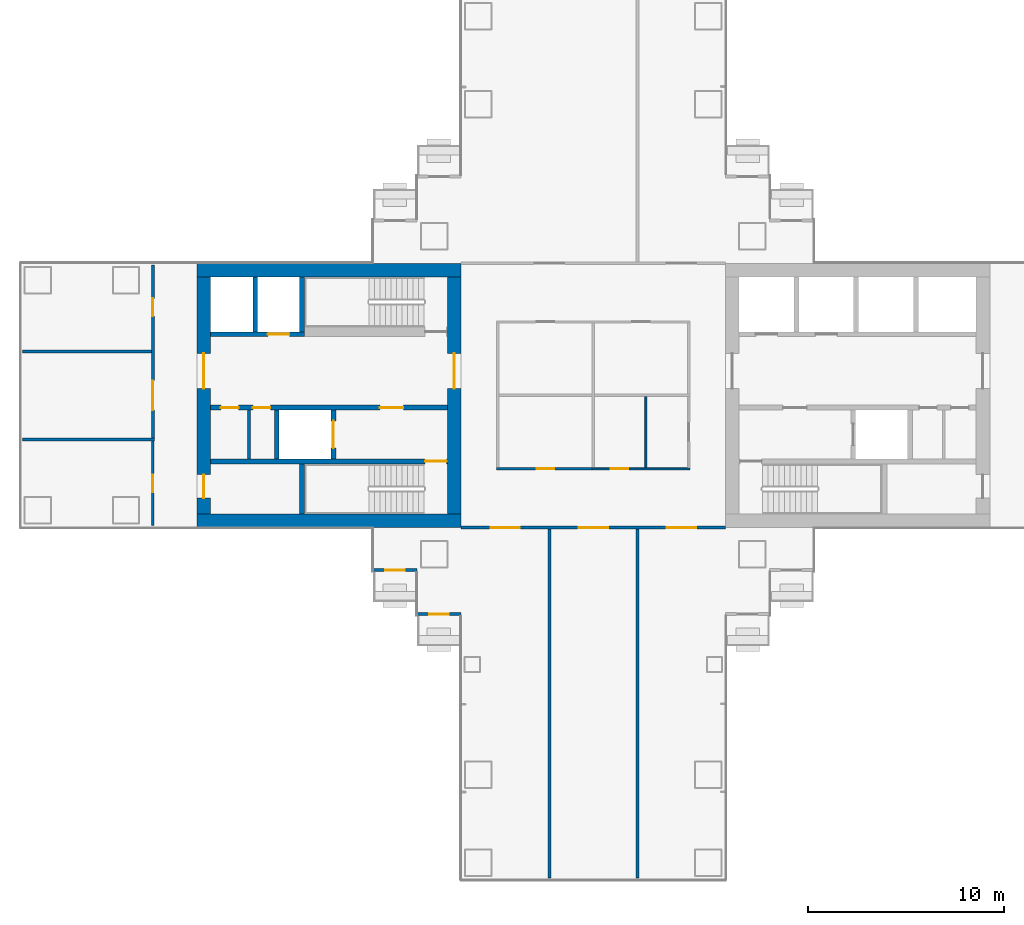
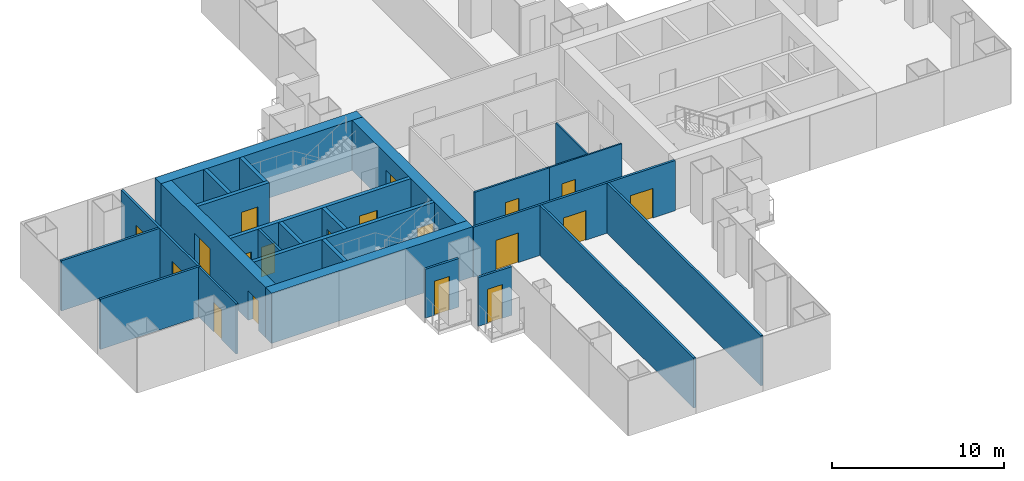
# One storey, part 13 of 21: 25 walls, 19 doors, 19 openings.
"""IFC4 building model written with IfcOpenShell, lengths in metres."""

from ifc_helpers import new_model, si_unit, direction, frame, frame_2d, origin, place, context, subcontext, project, spatial, rectangle, extrude, material, layer, layer_set, type_object, element, fill, save


model = new_model("IFC4")

# Units and contexts
model_context = context("Model", 3, precision=1e-05, world=origin(), true_north=direction((0.0, 1.0)))
body_context = subcontext(model_context, "Body", "Model", "MODEL_VIEW")
ifc_project = project(units=[si_unit("LENGTHUNIT", "METRE"), si_unit("AREAUNIT", "SQUARE_METRE"), si_unit("VOLUMEUNIT", "CUBIC_METRE"), si_unit("PLANEANGLEUNIT", "RADIAN"), si_unit("MASSUNIT", "GRAM", prefix="KILO")], contexts=[model_context])

# Site, building, storey
site_placement = place(None, origin())
site = spatial("IfcSite", under=ifc_project, at=site_placement, CompositionType="ELEMENT")
building_placement = place(site_placement, origin())
building = spatial("IfcBuilding", under=site, at=building_placement, Name="Shamsa Quay Exchange Towers", CompositionType="ELEMENT")
storey_placement = place(building_placement, frame((0.0, 0.0, 45.89990234375)))
storey = spatial("IfcBuildingStorey", under=building, at=storey_placement, Name="L09", CompositionType="ELEMENT", Elevation=45.89990234375)

# Wall, opening, door
ifc_material_1 = material(Name="Aluminium EN AW-6063 T6, black anodised, with black enamelled glass infill", Category="aluminium")
ifc_layer_1 = layer(ifc_material_1, 0.14990234375)
ifc_layer_set_1 = layer_set([ifc_layer_1], Name="BALCONY DOOR BAY WALL 150")
wall_type_1 = type_object("IfcWallType", Name="BALCONY DOOR BAY WALL 150", PredefinedType="SOLIDWALL", material=ifc_layer_set_1)
wall_1_placement = place(storey_placement, frame((-42.75, -8.925048828125, 0.0), z_axis=(0.0, 0.0, 1.0), x_axis=(-1.0, 0.0, 0.0)))
wall_1 = element("IfcWall", 1, at=wall_1_placement, inside=storey, type_object=wall_type_1, Name="Door bay T1-PKWS L09", PredefinedType="SOLIDWALL", context=body_context, shape_type="SweptSolid", body=[
    extrude(rectangle(XDim=2.25, YDim=0.14990234375, at=frame_2d((1.125, 0.0))), origin(), (0.0, 0.0, 1.0), 3.4501953125),
])
opening_1_placement = place(wall_1_placement, frame((0.625, 0.0, 0.0)))
opening_1 = element("IfcOpeningElement", 2, at=opening_1_placement, cuts=wall_1, Name="Opening XD055", PredefinedType="OPENING", context=body_context, shape_type="SweptSolid", body=[
    extrude(rectangle(XDim=1.0, YDim=2.39990234375, at=frame_2d((0.5, 1.199951171875))), frame((0.0, 0.0849609375, 0.0), z_axis=(0.0, -1.0, 0.0), x_axis=(1.0, 0.0, 0.0)), (0.0, 0.0, 1.0), 0.169921875),
])
ifc_material_2 = material(Name="Aluminium EN AW-6063 T6, black anodised, with laminated glass leaf", Category="aluminium")
door_type_1 = type_object("IfcDoorType", Name="BALCONY DOOR 1000x2400", OperationType="SINGLE_SWING_LEFT", PredefinedType="DOOR", material=ifc_material_2)
door_1_placement = place(opening_1_placement, origin())
door_1 = element("IfcDoor", 3, at=door_1_placement, inside=storey, type_object=door_type_1, Name="Balcony door T1-PKWS L09", OperationType="SINGLE_SWING_LEFT", OverallHeight=2.39990234375, OverallWidth=1.0, PredefinedType="DOOR", context=body_context, shape_type="SweptSolid", body=[
    extrude(rectangle(XDim=1.0, YDim=2.39990234375, at=frame_2d((0.5, 1.199951171875))), frame((0.0, 0.02490234375, 0.0), z_axis=(0.0, -1.0, 0.0), x_axis=(1.0, 0.0, 0.0)), (0.0, 0.0, 1.0), 0.050048828125),
])
fill(opening_1, door_1)

wall_2_placement = place(storey_placement, frame((-40.5, -11.175048828125, 0.0), z_axis=(0.0, 0.0, 1.0), x_axis=(-1.0, 0.0, 0.0)))
wall_2 = element("IfcWall", 4, at=wall_2_placement, inside=storey, type_object=wall_type_1, Name="Door bay T1-PKWS L09", PredefinedType="SOLIDWALL", context=body_context, shape_type="SweptSolid", body=[
    extrude(rectangle(XDim=2.25, YDim=0.14990234375, at=frame_2d((1.125, 0.0))), origin(), (0.0, 0.0, 1.0), 3.4501953125),
])
opening_2_placement = place(wall_2_placement, frame((0.625, 0.0, 0.0)))
opening_2 = element("IfcOpeningElement", 5, at=opening_2_placement, cuts=wall_2, Name="Opening XD056", PredefinedType="OPENING", context=body_context, shape_type="SweptSolid", body=[
    extrude(rectangle(XDim=1.0, YDim=2.39990234375, at=frame_2d((0.5, 1.199951171875))), frame((0.0, 0.0849609375, 0.0), z_axis=(0.0, -1.0, 0.0), x_axis=(1.0, 0.0, 0.0)), (0.0, 0.0, 1.0), 0.169921875),
])
door_2_placement = place(opening_2_placement, origin())
door_2 = element("IfcDoor", 6, at=door_2_placement, inside=storey, type_object=door_type_1, Name="Balcony door T1-PKWS L09", OperationType="SINGLE_SWING_RIGHT", OverallHeight=2.39990234375, OverallWidth=1.0, PredefinedType="DOOR", context=body_context, shape_type="SweptSolid", body=[
    extrude(rectangle(XDim=1.0, YDim=2.39990234375, at=frame_2d((0.5, 1.199951171875))), frame((0.0, 0.02490234375, 0.0), z_axis=(0.0, -1.0, 0.0), x_axis=(1.0, 0.0, 0.0)), (0.0, 0.0, 1.0), 0.050048828125),
])
fill(opening_2, door_2)

# Walls
ifc_material_3 = material(Name="Concrete C80/95", Category="concrete")
ifc_layer_2 = layer(ifc_material_3, 0.699951171875)
ifc_layer_set_2 = layer_set([ifc_layer_2], Name="CORE WALL 700 C80/95")
wall_type_2 = type_object("IfcWallType", Name="CORE WALL 700 C80/95", PredefinedType="SHEAR", material=ifc_layer_set_2)
for number, where, z_axis, x_axis, name in (
    (7, (-40.5, -6.39990234375, 0.0), (0.0, 0.0, 1.0), (-1.0, 0.0, 0.0), "Core wall T1B-R03-PS"),
    (8, (-40.5, 6.39990234375, 0.0), (0.0, 0.0, 1.0), (-1.0, 0.0, 0.0), "Core wall T1B-R03-PN"),
):
    element("IfcWall", number, at=place(storey_placement, frame(where, z_axis=z_axis, x_axis=x_axis)), inside=storey, type_object=wall_type_2, Name=name, PredefinedType="SHEAR", context=body_context, shape_type="SweptSolid", body=[
        extrude(rectangle(XDim=13.5, YDim=0.699951171875, at=frame_2d((6.75, 0.0))), origin(), (0.0, 0.0, 1.0), 3.550048828125),
    ])

# Wall, opening, door
wall_3_placement = place(storey_placement, frame((-40.85009765625, -6.050048828125, 0.0), z_axis=(0.0, 0.0, 1.0), x_axis=(0.0, 1.0, 0.0)))
wall_3 = element("IfcWall", 9, at=wall_3_placement, inside=storey, type_object=wall_type_2, Name="Core wall T1B-R03-PF", PredefinedType="SHEAR", context=body_context, shape_type="SweptSolid", body=[
    extrude(rectangle(XDim=12.10009765625, YDim=0.699951171875, at=frame_2d((6.050048828125, 0.0))), origin(), (0.0, 0.0, 1.0), 3.550048828125),
])
opening_3_placement = place(wall_3_placement, frame((6.39990234375, 0.0, 0.0)))
opening_3 = element("IfcOpeningElement", 10, at=opening_3_placement, cuts=wall_3, Name="Opening T1B-R03-LBD01", PredefinedType="OPENING", context=body_context, shape_type="SweptSolid", body=[
    extrude(rectangle(XDim=1.800048828125, YDim=2.39990234375, at=frame_2d((0.89990234375, 1.199951171875))), frame((0.0, 0.35986328125, 0.0), z_axis=(0.0, -1.0, 0.0), x_axis=(1.0, 0.0, 0.0)), (0.0, 0.0, 1.0), 0.719970703125),
])
ifc_material_4 = material(Name="Steel, fire rated", Category="steel")
door_type_2 = type_object("IfcDoorType", Name="LIFT LOBBY DOOR PAIR 1800", OperationType="DOUBLE_DOOR_SINGLE_SWING", PredefinedType="DOOR", material=ifc_material_4)
door_3_placement = place(opening_3_placement, origin())
door_3 = element("IfcDoor", 11, at=door_3_placement, inside=storey, type_object=door_type_2, Name="T1B-R03-LBD01", OperationType="DOUBLE_DOOR_SINGLE_SWING", OverallHeight=2.39990234375, OverallWidth=1.800048828125, PredefinedType="DOOR", context=body_context, shape_type="SweptSolid", body=[
    extrude(rectangle(XDim=1.800048828125, YDim=2.39990234375, at=frame_2d((0.89990234375, 1.199951171875))), frame((0.0, 0.02490234375, 0.0), z_axis=(0.0, -1.0, 0.0), x_axis=(1.0, 0.0, 0.0)), (0.0, 0.0, 1.0), 0.050048828125),
])
fill(opening_3, door_3)

# Wall, openings, doors
wall_4_placement = place(storey_placement, frame((-53.64990234375, -6.050048828125, 0.0), z_axis=(0.0, 0.0, 1.0), x_axis=(0.0, 1.0, 0.0)))
wall_4 = element("IfcWall", 12, at=wall_4_placement, inside=storey, type_object=wall_type_2, Name="Core wall T1B-R03-PB", PredefinedType="SHEAR", context=body_context, shape_type="SweptSolid", body=[
    extrude(rectangle(XDim=12.10009765625, YDim=0.699951171875, at=frame_2d((6.050048828125, 0.0))), origin(), (0.0, 0.0, 1.0), 3.550048828125),
])
opening_4_placement = place(wall_4_placement, frame((0.800048828125, 0.0, 0.0)))
opening_4 = element("IfcOpeningElement", 13, at=opening_4_placement, cuts=wall_4, Name="Opening T1B-R03-RD02", PredefinedType="OPENING", context=body_context, shape_type="SweptSolid", body=[
    extrude(rectangle(XDim=1.199951171875, YDim=2.10009765625, at=frame_2d((0.60009765625, 1.050048828125))), frame((0.0, 0.35986328125, 0.0), z_axis=(0.0, -1.0, 0.0), x_axis=(1.0, 0.0, 0.0)), (0.0, 0.0, 1.0), 0.719970703125),
])
opening_5_placement = place(wall_4_placement, frame((6.39990234375, 0.0, 0.0)))
opening_5 = element("IfcOpeningElement", 14, at=opening_5_placement, cuts=wall_4, Name="Opening T1B-R03-LBD03", PredefinedType="OPENING", context=body_context, shape_type="SweptSolid", body=[
    extrude(rectangle(XDim=1.800048828125, YDim=2.39990234375, at=frame_2d((0.89990234375, 1.199951171875))), frame((0.0, 0.35986328125, 0.0), z_axis=(0.0, -1.0, 0.0), x_axis=(1.0, 0.0, 0.0)), (0.0, 0.0, 1.0), 0.719970703125),
])
door_4_placement = place(opening_5_placement, origin())
door_4 = element("IfcDoor", 15, at=door_4_placement, inside=storey, type_object=door_type_2, Name="T1B-R03-LBD03", OperationType="DOUBLE_DOOR_SINGLE_SWING", OverallHeight=2.39990234375, OverallWidth=1.800048828125, PredefinedType="DOOR", context=body_context, shape_type="SweptSolid", body=[
    extrude(rectangle(XDim=1.800048828125, YDim=2.39990234375, at=frame_2d((0.89990234375, 1.199951171875))), frame((0.0, 0.02490234375, 0.0), z_axis=(0.0, -1.0, 0.0), x_axis=(1.0, 0.0, 0.0)), (0.0, 0.0, 1.0), 0.050048828125),
])
fill(opening_5, door_4)
door_type_3 = type_object("IfcDoorType", Name="RISER ACCESS DOOR 1200", OperationType="SINGLE_SWING_LEFT", PredefinedType="DOOR", material=ifc_material_4)
door_5_placement = place(opening_4_placement, origin())
door_5 = element("IfcDoor", 16, at=door_5_placement, inside=storey, type_object=door_type_3, Name="T1B-R03-RD02", OperationType="SINGLE_SWING_LEFT", OverallHeight=2.10009765625, OverallWidth=1.199951171875, PredefinedType="DOOR", context=body_context, shape_type="SweptSolid", body=[
    extrude(rectangle(XDim=1.199951171875, YDim=2.10009765625, at=frame_2d((0.60009765625, 1.050048828125))), frame((0.0, 0.02490234375, 0.0), z_axis=(0.0, -1.0, 0.0), x_axis=(1.0, 0.0, 0.0)), (0.0, 0.0, 1.0), 0.050048828125),
])
fill(opening_4, door_5)

# Wall
ifc_material_5 = material(Name="Gypsum board on steel studs, EI 60", Category="steel")
ifc_layer_3 = layer(ifc_material_5, 0.14990234375)
ifc_layer_set_3 = layer_set([ifc_layer_3], Name="FIRE PARTITION 150")
wall_type_3 = type_object("IfcWallType", Name="FIRE PARTITION 150", PredefinedType="PARTITIONING", material=ifc_layer_set_3)
wall_5_placement = place(storey_placement, frame((-51.35009765625, -3.25, 0.0), z_axis=(0.0, 0.0, 1.0), x_axis=(0.0, 1.0, 0.0)))
element("IfcWall", 17, at=wall_5_placement, inside=storey, type_object=wall_type_3, Name="Partition T1B-R03-EC0", PredefinedType="PARTITIONING", context=body_context, shape_type="SweptSolid", body=[
    extrude(rectangle(XDim=2.5, YDim=0.14990234375, at=frame_2d((1.25, 0.0))), origin(), (0.0, 0.0, 1.0), 3.550048828125),
])

# Wall, opening, door
ifc_material_6 = material(Name="Laminated fire-resisting glass in a metal frame", Category="glass")
ifc_layer_4 = layer(ifc_material_6, 0.125)
ifc_layer_set_4 = layer_set([ifc_layer_4], Name="Glazed partition 125 mm EI 60")
wall_type_4 = type_object("IfcWallType", Name="Glazed partition 125 mm EI 60", PredefinedType="PARTITIONING", material=ifc_layer_set_4)
wall_6_placement = place(storey_placement, frame((-38.6875, -3.75, 0.0)))
wall_6 = element("IfcWall", 18, at=wall_6_placement, inside=storey, type_object=wall_type_4, Name="Partition T1-R03-W06", PredefinedType="PARTITIONING", context=body_context, shape_type="SweptSolid", body=[
    extrude(rectangle(XDim=5.0, YDim=0.125, at=frame_2d((2.5, 0.0))), origin(), (0.0, 0.0, 1.0), 3.550048828125),
])
opening_6_placement = place(wall_6_placement, frame((2.050048828125, 0.0, 0.0)))
opening_6 = element("IfcOpeningElement", 19, at=opening_6_placement, cuts=wall_6, Name="Opening T1-R03-D06", PredefinedType="OPENING", context=body_context, shape_type="SweptSolid", body=[
    extrude(rectangle(XDim=0.89990234375, YDim=2.10009765625, at=frame_2d((0.449951171875, 1.050048828125))), frame((0.0, 0.072509765625, 0.0), z_axis=(0.0, -1.0, 0.0), x_axis=(1.0, 0.0, 0.0)), (0.0, 0.0, 1.0), 0.14501953125),
])
ifc_material_7 = material(Name="Timber door leaf in a metal frame", Category="wood")
door_type_4 = type_object("IfcDoorType", Name="Door 900x2100 FD30S", OperationType="NOTDEFINED", PredefinedType="DOOR", material=ifc_material_7)
door_6_placement = place(opening_6_placement, origin())
door_6 = element("IfcDoor", 20, at=door_6_placement, inside=storey, type_object=door_type_4, Name="Door T1-R03-D06", OperationType="SINGLE_SWING_LEFT", OverallHeight=2.10009765625, OverallWidth=0.89990234375, PredefinedType="DOOR", context=body_context, shape_type="SweptSolid", body=[
    extrude(rectangle(XDim=0.89990234375, YDim=2.10009765625, at=frame_2d((0.449951171875, 1.050048828125))), frame((0.0, 0.02490234375, 0.0), z_axis=(0.0, -1.0, 0.0), x_axis=(1.0, 0.0, 0.0)), (0.0, 0.0, 1.0), 0.050048828125),
])
fill(opening_6, door_6)

wall_7_placement = place(storey_placement, frame((-56.25, -6.655029296875, 0.0), z_axis=(0.0, 0.0, 1.0), x_axis=(0.0, 1.0, 0.0)))
wall_7 = element("IfcWall", 21, at=wall_7_placement, inside=storey, type_object=wall_type_4, Name="Partition T1-R03-W09", PredefinedType="PARTITIONING", context=body_context, shape_type="SweptSolid", body=[
    extrude(rectangle(XDim=4.330078125, YDim=0.125, at=frame_2d((2.1650390625, 0.0))), origin(), (0.0, 0.0, 1.0), 3.550048828125),
])
opening_7_placement = place(wall_7_placement, frame((1.705078125, 0.0, 0.0)))
opening_7 = element("IfcOpeningElement", 22, at=opening_7_placement, cuts=wall_7, Name="Opening T1-R03-D01", PredefinedType="OPENING", context=body_context, shape_type="SweptSolid", body=[
    extrude(rectangle(XDim=0.89990234375, YDim=2.10009765625, at=frame_2d((0.449951171875, 1.050048828125))), frame((0.0, 0.072509765625, 0.0), z_axis=(0.0, -1.0, 0.0), x_axis=(1.0, 0.0, 0.0)), (0.0, 0.0, 1.0), 0.14501953125),
])
door_7_placement = place(opening_7_placement, origin())
door_7 = element("IfcDoor", 23, at=door_7_placement, inside=storey, type_object=door_type_4, Name="Door T1-R03-D01", OperationType="SINGLE_SWING_LEFT", OverallHeight=2.10009765625, OverallWidth=0.89990234375, PredefinedType="DOOR", context=body_context, shape_type="SweptSolid", body=[
    extrude(rectangle(XDim=0.89990234375, YDim=2.10009765625, at=frame_2d((0.449951171875, 1.050048828125))), frame((0.0, 0.02490234375, 0.0), z_axis=(0.0, -1.0, 0.0), x_axis=(1.0, 0.0, 0.0)), (0.0, 0.0, 1.0), 0.050048828125),
])
fill(opening_7, door_7)

ifc_material_8 = material(Name="Gypsum board partition on metal studs")
ifc_layer_5 = layer(ifc_material_8, 0.10009765625)
ifc_layer_set_5 = layer_set([ifc_layer_5], Name="Partition 100 mm NOT RATED")
wall_type_5 = type_object("IfcWallType", Name="Partition 100 mm NOT RATED", PredefinedType="PARTITIONING", material=ifc_layer_set_5)
wall_8_placement = place(storey_placement, frame((-33.8125, -3.75, 0.0)))
wall_8 = element("IfcWall", 24, at=wall_8_placement, inside=storey, type_object=wall_type_5, Name="Partition T1-R03-W03", PredefinedType="PARTITIONING", context=body_context, shape_type="SweptSolid", body=[
    extrude(rectangle(XDim=4.987548828125, YDim=0.10009765625, at=frame_2d((2.49365234375, 0.0))), origin(), (0.0, 0.0, 1.0), 3.550048828125),
])
opening_8_placement = place(wall_8_placement, frame((0.956298828125, 0.0, 0.0)))
opening_8 = element("IfcOpeningElement", 25, at=opening_8_placement, cuts=wall_8, Name="Opening T1-R03-D07", PredefinedType="OPENING", context=body_context, shape_type="SweptSolid", body=[
    extrude(rectangle(XDim=0.89990234375, YDim=2.10009765625, at=frame_2d((0.449951171875, 1.050048828125))), frame((0.0, 0.06005859375, 0.0), z_axis=(0.0, -1.0, 0.0), x_axis=(1.0, 0.0, 0.0)), (0.0, 0.0, 1.0), 0.1201171875),
])
door_type_5 = type_object("IfcDoorType", Name="Door 900x2100 NOT RATED", OperationType="NOTDEFINED", PredefinedType="DOOR", material=ifc_material_7)
door_8_placement = place(opening_8_placement, origin())
door_8 = element("IfcDoor", 26, at=door_8_placement, inside=storey, type_object=door_type_5, Name="Door T1-R03-D07", OperationType="SINGLE_SWING_LEFT", OverallHeight=2.10009765625, OverallWidth=0.89990234375, PredefinedType="DOOR", context=body_context, shape_type="SweptSolid", body=[
    extrude(rectangle(XDim=0.89990234375, YDim=2.10009765625, at=frame_2d((0.449951171875, 1.050048828125))), frame((0.0, 0.02490234375, 0.0), z_axis=(0.0, -1.0, 0.0), x_axis=(1.0, 0.0, 0.0)), (0.0, 0.0, 1.0), 0.050048828125),
])
fill(opening_8, door_8)

# Wall
wall_9_placement = place(storey_placement, frame((-31.0625, -3.699951171875, 0.0), z_axis=(0.0, 0.0, 1.0), x_axis=(0.0, 1.0, 0.0)))
element("IfcWall", 27, at=wall_9_placement, inside=storey, type_object=wall_type_5, Name="Partition T1-R03-W13", PredefinedType="PARTITIONING", context=body_context, shape_type="SweptSolid", body=[
    extrude(rectangle(XDim=3.637451171875, YDim=0.10009765625, at=frame_2d((1.81884765625, 0.0))), origin(), (0.0, 0.0, 1.0), 3.550048828125),
])

# Wall, openings, doors
ifc_layer_6 = layer(ifc_material_8, 0.14990234375)
ifc_layer_set_6 = layer_set([ifc_layer_6], Name="Partition 150 mm EI 60")
wall_type_6 = type_object("IfcWallType", Name="Partition 150 mm EI 60", PredefinedType="PARTITIONING", material=ifc_layer_set_6)
wall_10_placement = place(storey_placement, frame((-27.0, -6.75, 0.0), z_axis=(0.0, 0.0, 1.0), x_axis=(-1.0, 0.0, 0.0)))
wall_10 = element("IfcWall", 28, at=wall_10_placement, inside=storey, type_object=wall_type_6, Name="Partition T1-R03-W08", PredefinedType="PARTITIONING", context=body_context, shape_type="SweptSolid", body=[
    extrude(rectangle(XDim=13.5, YDim=0.14990234375, at=frame_2d((6.75, 0.0))), origin(), (0.0, 0.0, 1.0), 3.550048828125),
])
opening_9_placement = place(wall_10_placement, frame((1.5, 0.0, 0.0)))
opening_9 = element("IfcOpeningElement", 29, at=opening_9_placement, cuts=wall_10, Name="Opening T1-R03-D11", PredefinedType="OPENING", context=body_context, shape_type="SweptSolid", body=[
    extrude(rectangle(XDim=1.5, YDim=2.10009765625, at=frame_2d((0.75, 1.050048828125))), frame((0.0, 0.0849609375, 0.0), z_axis=(0.0, -1.0, 0.0), x_axis=(1.0, 0.0, 0.0)), (0.0, 0.0, 1.0), 0.169921875),
])
opening_10_placement = place(wall_10_placement, frame((6.0, 0.0, 0.0)))
opening_10 = element("IfcOpeningElement", 30, at=opening_10_placement, cuts=wall_10, Name="Opening T1-R03-D12", PredefinedType="OPENING", context=body_context, shape_type="SweptSolid", body=[
    extrude(rectangle(XDim=1.5, YDim=2.10009765625, at=frame_2d((0.75, 1.050048828125))), frame((0.0, 0.0849609375, 0.0), z_axis=(0.0, -1.0, 0.0), x_axis=(1.0, 0.0, 0.0)), (0.0, 0.0, 1.0), 0.169921875),
])
opening_11_placement = place(wall_10_placement, frame((10.5, 0.0, 0.0)))
opening_11 = element("IfcOpeningElement", 31, at=opening_11_placement, cuts=wall_10, Name="Opening T1-R03-D13", PredefinedType="OPENING", context=body_context, shape_type="SweptSolid", body=[
    extrude(rectangle(XDim=1.5, YDim=2.10009765625, at=frame_2d((0.75, 1.050048828125))), frame((0.0, 0.0849609375, 0.0), z_axis=(0.0, -1.0, 0.0), x_axis=(1.0, 0.0, 0.0)), (0.0, 0.0, 1.0), 0.169921875),
])
door_type_6 = type_object("IfcDoorType", Name="Door 1500x2100 FD30S pair", OperationType="NOTDEFINED", PredefinedType="DOOR", material=ifc_material_7)
door_9_placement = place(opening_9_placement, origin())
door_9 = element("IfcDoor", 32, at=door_9_placement, inside=storey, type_object=door_type_6, Name="Door T1-R03-D11", OperationType="DOUBLE_DOOR_SINGLE_SWING", OverallHeight=2.10009765625, OverallWidth=1.5, PredefinedType="DOOR", context=body_context, shape_type="SweptSolid", body=[
    extrude(rectangle(XDim=1.5, YDim=2.10009765625, at=frame_2d((0.75, 1.050048828125))), frame((0.0, 0.02490234375, 0.0), z_axis=(0.0, -1.0, 0.0), x_axis=(1.0, 0.0, 0.0)), (0.0, 0.0, 1.0), 0.050048828125),
])
fill(opening_9, door_9)
door_10_placement = place(opening_10_placement, origin())
door_10 = element("IfcDoor", 33, at=door_10_placement, inside=storey, type_object=door_type_6, Name="Door T1-R03-D12", OperationType="DOUBLE_DOOR_SINGLE_SWING", OverallHeight=2.10009765625, OverallWidth=1.5, PredefinedType="DOOR", context=body_context, shape_type="SweptSolid", body=[
    extrude(rectangle(XDim=1.5, YDim=2.10009765625, at=frame_2d((0.75, 1.050048828125))), frame((0.0, 0.02490234375, 0.0), z_axis=(0.0, -1.0, 0.0), x_axis=(1.0, 0.0, 0.0)), (0.0, 0.0, 1.0), 0.050048828125),
])
fill(opening_10, door_10)
door_11_placement = place(opening_11_placement, origin())
door_11 = element("IfcDoor", 34, at=door_11_placement, inside=storey, type_object=door_type_6, Name="Door T1-R03-D13", OperationType="DOUBLE_DOOR_SINGLE_SWING", OverallHeight=2.10009765625, OverallWidth=1.5, PredefinedType="DOOR", context=body_context, shape_type="SweptSolid", body=[
    extrude(rectangle(XDim=1.5, YDim=2.10009765625, at=frame_2d((0.75, 1.050048828125))), frame((0.0, 0.02490234375, 0.0), z_axis=(0.0, -1.0, 0.0), x_axis=(1.0, 0.0, 0.0)), (0.0, 0.0, 1.0), 0.050048828125),
])
fill(opening_11, door_11)

wall_11_placement = place(storey_placement, frame((-56.25, -2.175048828125, 0.0), z_axis=(0.0, 0.0, 1.0), x_axis=(0.0, 1.0, 0.0)))
wall_11 = element("IfcWall", 35, at=wall_11_placement, inside=storey, type_object=wall_type_6, Name="Partition T1-R03-W10", PredefinedType="PARTITIONING", context=body_context, shape_type="SweptSolid", body=[
    extrude(rectangle(XDim=8.830078125, YDim=0.14990234375, at=frame_2d((4.4150390625, 0.0))), origin(), (0.0, 0.0, 1.0), 3.550048828125),
])
opening_12_placement = place(wall_11_placement, frame((1.425048828125, 0.0, 0.0)))
opening_12 = element("IfcOpeningElement", 36, at=opening_12_placement, cuts=wall_11, Name="Opening T1-R03-D02", PredefinedType="OPENING", context=body_context, shape_type="SweptSolid", body=[
    extrude(rectangle(XDim=1.5, YDim=2.10009765625, at=frame_2d((0.75, 1.050048828125))), frame((0.0, 0.0849609375, 0.0), z_axis=(0.0, -1.0, 0.0), x_axis=(1.0, 0.0, 0.0)), (0.0, 0.0, 1.0), 0.169921875),
])
opening_13_placement = place(wall_11_placement, frame((6.22509765625, 0.0, 0.0)))
opening_13 = element("IfcOpeningElement", 37, at=opening_13_placement, cuts=wall_11, Name="Opening T1-R03-D03", PredefinedType="OPENING", context=body_context, shape_type="SweptSolid", body=[
    extrude(rectangle(XDim=0.89990234375, YDim=2.10009765625, at=frame_2d((0.449951171875, 1.050048828125))), frame((0.0, 0.0849609375, 0.0), z_axis=(0.0, -1.0, 0.0), x_axis=(1.0, 0.0, 0.0)), (0.0, 0.0, 1.0), 0.169921875),
])
door_12_placement = place(opening_12_placement, origin())
door_12 = element("IfcDoor", 38, at=door_12_placement, inside=storey, type_object=door_type_6, Name="Door T1-R03-D02", OperationType="DOUBLE_DOOR_SINGLE_SWING", OverallHeight=2.10009765625, OverallWidth=1.5, PredefinedType="DOOR", context=body_context, shape_type="SweptSolid", body=[
    extrude(rectangle(XDim=1.5, YDim=2.10009765625, at=frame_2d((0.75, 1.050048828125))), frame((0.0, 0.02490234375, 0.0), z_axis=(0.0, -1.0, 0.0), x_axis=(1.0, 0.0, 0.0)), (0.0, 0.0, 1.0), 0.050048828125),
])
fill(opening_12, door_12)
door_13_placement = place(opening_13_placement, origin())
door_13 = element("IfcDoor", 39, at=door_13_placement, inside=storey, type_object=door_type_4, Name="Door T1-R03-D03", OperationType="SINGLE_SWING_LEFT", OverallHeight=2.10009765625, OverallWidth=0.89990234375, PredefinedType="DOOR", context=body_context, shape_type="SweptSolid", body=[
    extrude(rectangle(XDim=0.89990234375, YDim=2.10009765625, at=frame_2d((0.449951171875, 1.050048828125))), frame((0.0, 0.02490234375, 0.0), z_axis=(0.0, -1.0, 0.0), x_axis=(1.0, 0.0, 0.0)), (0.0, 0.0, 1.0), 0.050048828125),
])
fill(opening_13, door_13)

# Walls
for number, where, z_axis, x_axis, name in (
    (40, (-31.5, -24.655029296875, 0.0), (0.0, 0.0, 1.0), (0.0, 1.0, 0.0), "Partition T1-R03-W14"),
    (41, (-36.0, -24.655029296875, 0.0), (0.0, 0.0, 1.0), (0.0, 1.0, 0.0), "Partition T1-R03-W16"),
):
    element("IfcWall", number, at=place(storey_placement, frame(where, z_axis=z_axis, x_axis=x_axis)), inside=storey, type_object=wall_type_6, Name=name, PredefinedType="PARTITIONING", context=body_context, shape_type="SweptSolid", body=[
        extrude(rectangle(XDim=17.830078125, YDim=0.14990234375, at=frame_2d((8.9150390625, 0.0))), origin(), (0.0, 0.0, 1.0), 3.550048828125),
    ])
wall_12_placement = place(storey_placement, frame((-56.175048828125, -2.25, 0.0), z_axis=(0.0, 0.0, 1.0), x_axis=(-1.0, 0.0, 0.0)))
element("IfcWall", 42, at=wall_12_placement, inside=storey, type_object=wall_type_6, Name="Partition T1-R03-W17", PredefinedType="PARTITIONING", context=body_context, shape_type="SweptSolid", body=[
    extrude(rectangle(XDim=6.72998046875, YDim=0.14990234375, at=frame_2d((3.364990234375, 0.0))), origin(), (0.0, 0.0, 1.0), 3.550048828125),
])
wall_13_placement = place(storey_placement, frame((-56.324951171875, 2.25, 0.0), z_axis=(0.0, 0.0, 1.0), x_axis=(-1.0, 0.0, 0.0)))
element("IfcWall", 43, at=wall_13_placement, inside=storey, type_object=wall_type_6, Name="Partition T1-R03-W18", PredefinedType="PARTITIONING", context=body_context, shape_type="SweptSolid", body=[
    extrude(rectangle(XDim=6.580078125, YDim=0.14990234375, at=frame_2d((3.2900390625, 0.0))), origin(), (0.0, 0.0, 1.0), 3.550048828125),
])

# Wall, opening, door
ifc_material_9 = material(Name="Concrete C50/60", Category="concrete")
ifc_layer_7 = layer(ifc_material_9, 0.25)
ifc_layer_set_7 = layer_set([ifc_layer_7], Name="SHAFT WALL 250 C50/60")
wall_type_7 = type_object("IfcWallType", Name="SHAFT WALL 250 C50/60", PredefinedType="SHEAR", material=ifc_layer_set_7)
wall_14_placement = place(storey_placement, frame((-41.199951171875, -3.375, 0.0), z_axis=(0.0, 0.0, 1.0), x_axis=(-1.0, 0.0, 0.0)))
wall_14 = element("IfcWall", 44, at=wall_14_placement, inside=storey, type_object=wall_type_7, Name="Shaft wall T1B-R03-STL", PredefinedType="SHEAR", context=body_context, shape_type="SweptSolid", body=[
    extrude(rectangle(XDim=12.10009765625, YDim=0.25, at=frame_2d((6.050048828125, 0.0))), origin(), (0.0, 0.0, 1.0), 3.550048828125),
])
opening_14_placement = place(wall_14_placement, frame((0.050048828125, 0.0, 0.0)))
opening_14 = element("IfcOpeningElement", 45, at=opening_14_placement, cuts=wall_14, Name="Opening T1B-R03-SD04", PredefinedType="OPENING", context=body_context, shape_type="SweptSolid", body=[
    extrude(rectangle(XDim=1.10009765625, YDim=2.10009765625, at=frame_2d((0.550048828125, 1.050048828125))), frame((0.0, 0.135009765625, 0.0), z_axis=(0.0, -1.0, 0.0), x_axis=(1.0, 0.0, 0.0)), (0.0, 0.0, 1.0), 0.27001953125),
])
door_type_7 = type_object("IfcDoorType", Name="STAIR DOOR 1100", OperationType="SINGLE_SWING_LEFT", PredefinedType="DOOR", material=ifc_material_4)
door_14_placement = place(opening_14_placement, origin())
door_14 = element("IfcDoor", 46, at=door_14_placement, inside=storey, type_object=door_type_7, Name="T1B-R03-SD04", OperationType="SINGLE_SWING_LEFT", OverallHeight=2.10009765625, OverallWidth=1.10009765625, PredefinedType="DOOR", context=body_context, shape_type="SweptSolid", body=[
    extrude(rectangle(XDim=1.10009765625, YDim=2.10009765625, at=frame_2d((0.550048828125, 1.050048828125))), frame((0.0, 0.02490234375, 0.0), z_axis=(0.0, -1.0, 0.0), x_axis=(1.0, 0.0, 0.0)), (0.0, 0.0, 1.0), 0.050048828125),
])
fill(opening_14, door_14)

# Wall
wall_15_placement = place(storey_placement, frame((-48.625, -6.050048828125, 0.0), z_axis=(0.0, 0.0, 1.0), x_axis=(0.0, 1.0, 0.0)))
element("IfcWall", 47, at=wall_15_placement, inside=storey, type_object=wall_type_7, Name="Shaft wall T1B-R03-STF", PredefinedType="SHEAR", context=body_context, shape_type="SweptSolid", body=[
    extrude(rectangle(XDim=2.550048828125, YDim=0.25, at=frame_2d((1.27490234375, 0.0))), origin(), (0.0, 0.0, 1.0), 3.550048828125),
])

# Wall, openings, doors
wall_16_placement = place(storey_placement, frame((-41.199951171875, -0.625, 0.0), z_axis=(0.0, 0.0, 1.0), x_axis=(-1.0, 0.0, 0.0)))
wall_16 = element("IfcWall", 48, at=wall_16_placement, inside=storey, type_object=wall_type_7, Name="Shaft wall T1B-R03-B", PredefinedType="SHEAR", context=body_context, shape_type="SweptSolid", body=[
    extrude(rectangle(XDim=12.10009765625, YDim=0.25, at=frame_2d((6.050048828125, 0.0))), origin(), (0.0, 0.0, 1.0), 3.550048828125),
])
opening_15_placement = place(wall_16_placement, frame((2.25, 0.0, 0.0)))
opening_15 = element("IfcOpeningElement", 49, at=opening_15_placement, cuts=wall_16, Name="Opening T1B-R03-FD05", PredefinedType="OPENING", context=body_context, shape_type="SweptSolid", body=[
    extrude(rectangle(XDim=1.199951171875, YDim=2.10009765625, at=frame_2d((0.60009765625, 1.050048828125))), frame((0.0, 0.135009765625, 0.0), z_axis=(0.0, -1.0, 0.0), x_axis=(1.0, 0.0, 0.0)), (0.0, 0.0, 1.0), 0.27001953125),
])
opening_16_placement = place(wall_16_placement, frame((9.050048828125, 0.0, 0.0)))
opening_16 = element("IfcOpeningElement", 50, at=opening_16_placement, cuts=wall_16, Name="Opening T1B-R03-SV06", PredefinedType="OPENING", context=body_context, shape_type="SweptSolid", body=[
    extrude(rectangle(XDim=0.89990234375, YDim=2.10009765625, at=frame_2d((0.449951171875, 1.050048828125))), frame((0.0, 0.135009765625, 0.0), z_axis=(0.0, -1.0, 0.0), x_axis=(1.0, 0.0, 0.0)), (0.0, 0.0, 1.0), 0.27001953125),
])
opening_17_placement = place(wall_16_placement, frame((10.675048828125, 0.0, 0.0)))
opening_17 = element("IfcOpeningElement", 51, at=opening_17_placement, cuts=wall_16, Name="Opening T1B-R03-SV07", PredefinedType="OPENING", context=body_context, shape_type="SweptSolid", body=[
    extrude(rectangle(XDim=0.89990234375, YDim=2.10009765625, at=frame_2d((0.449951171875, 1.050048828125))), frame((0.0, 0.135009765625, 0.0), z_axis=(0.0, -1.0, 0.0), x_axis=(1.0, 0.0, 0.0)), (0.0, 0.0, 1.0), 0.27001953125),
])
door_type_8 = type_object("IfcDoorType", Name="FIRE SERVICE LOBBY DOOR 1200", OperationType="SINGLE_SWING_LEFT", PredefinedType="DOOR", material=ifc_material_4)
door_15_placement = place(opening_15_placement, origin())
door_15 = element("IfcDoor", 52, at=door_15_placement, inside=storey, type_object=door_type_8, Name="T1B-R03-FD05", OperationType="SINGLE_SWING_LEFT", OverallHeight=2.10009765625, OverallWidth=1.199951171875, PredefinedType="DOOR", context=body_context, shape_type="SweptSolid", body=[
    extrude(rectangle(XDim=1.199951171875, YDim=2.10009765625, at=frame_2d((0.60009765625, 1.050048828125))), frame((0.0, 0.02490234375, 0.0), z_axis=(0.0, -1.0, 0.0), x_axis=(1.0, 0.0, 0.0)), (0.0, 0.0, 1.0), 0.050048828125),
])
fill(opening_15, door_15)
door_type_9 = type_object("IfcDoorType", Name="SERVICE ROOM DOOR 900", OperationType="SINGLE_SWING_LEFT", PredefinedType="DOOR", material=ifc_material_4)
door_16_placement = place(opening_16_placement, origin())
door_16 = element("IfcDoor", 53, at=door_16_placement, inside=storey, type_object=door_type_9, Name="T1B-R03-SV06", OperationType="SINGLE_SWING_RIGHT", OverallHeight=2.10009765625, OverallWidth=0.89990234375, PredefinedType="DOOR", context=body_context, shape_type="SweptSolid", body=[
    extrude(rectangle(XDim=0.89990234375, YDim=2.10009765625, at=frame_2d((0.449951171875, 1.050048828125))), frame((0.0, 0.02490234375, 0.0), z_axis=(0.0, -1.0, 0.0), x_axis=(1.0, 0.0, 0.0)), (0.0, 0.0, 1.0), 0.050048828125),
])
fill(opening_16, door_16)
door_17_placement = place(opening_17_placement, origin())
door_17 = element("IfcDoor", 54, at=door_17_placement, inside=storey, type_object=door_type_9, Name="T1B-R03-SV07", OperationType="SINGLE_SWING_RIGHT", OverallHeight=2.10009765625, OverallWidth=0.89990234375, PredefinedType="DOOR", context=body_context, shape_type="SweptSolid", body=[
    extrude(rectangle(XDim=0.89990234375, YDim=2.10009765625, at=frame_2d((0.449951171875, 1.050048828125))), frame((0.0, 0.02490234375, 0.0), z_axis=(0.0, -1.0, 0.0), x_axis=(1.0, 0.0, 0.0)), (0.0, 0.0, 1.0), 0.050048828125),
])
fill(opening_17, door_17)

# Wall, opening, door
wall_17_placement = place(storey_placement, frame((-47.02490234375, -3.25, 0.0), z_axis=(0.0, 0.0, 1.0), x_axis=(0.0, 1.0, 0.0)))
wall_17 = element("IfcWall", 55, at=wall_17_placement, inside=storey, type_object=wall_type_7, Name="Shaft wall T1B-R03-FFF", PredefinedType="SHEAR", context=body_context, shape_type="SweptSolid", body=[
    extrude(rectangle(XDim=2.5, YDim=0.25, at=frame_2d((1.25, 0.0))), origin(), (0.0, 0.0, 1.0), 3.550048828125),
])
opening_18_placement = place(wall_17_placement, frame((0.550048828125, 0.0, 0.0)))
opening_18 = element("IfcOpeningElement", 56, at=opening_18_placement, cuts=wall_17, Name="Opening T1B-R03-LDG08", PredefinedType="OPENING", context=body_context, shape_type="SweptSolid", body=[
    extrude(rectangle(XDim=1.39990234375, YDim=2.39990234375, at=frame_2d((0.699951171875, 1.199951171875))), frame((0.0, 0.135009765625, 0.0), z_axis=(0.0, -1.0, 0.0), x_axis=(1.0, 0.0, 0.0)), (0.0, 0.0, 1.0), 0.27001953125),
])
door_type_10 = type_object("IfcDoorType", Name="GOODS LIFT LANDING DOOR 1400", OperationType="SLIDING_TO_LEFT", PredefinedType="DOOR", material=ifc_material_4)
door_18_placement = place(opening_18_placement, origin())
door_18 = element("IfcDoor", 57, at=door_18_placement, inside=storey, type_object=door_type_10, Name="T1B-R03-LDG08", OperationType="SLIDING_TO_LEFT", OverallHeight=2.39990234375, OverallWidth=1.39990234375, PredefinedType="DOOR", context=body_context, shape_type="SweptSolid", body=[
    extrude(rectangle(XDim=1.39990234375, YDim=2.39990234375, at=frame_2d((0.699951171875, 1.199951171875))), frame((0.0, 0.02490234375, 0.0), z_axis=(0.0, -1.0, 0.0), x_axis=(1.0, 0.0, 0.0)), (0.0, 0.0, 1.0), 0.050048828125),
])
fill(opening_18, door_18)

# Wall
wall_18_placement = place(storey_placement, frame((-49.925048828125, -3.25, 0.0), z_axis=(0.0, 0.0, 1.0), x_axis=(0.0, 1.0, 0.0)))
element("IfcWall", 58, at=wall_18_placement, inside=storey, type_object=wall_type_7, Name="Shaft wall T1B-R03-FFB", PredefinedType="SHEAR", context=body_context, shape_type="SweptSolid", body=[
    extrude(rectangle(XDim=2.5, YDim=0.25, at=frame_2d((1.25, 0.0))), origin(), (0.0, 0.0, 1.0), 3.550048828125),
])

# Wall, opening, door
wall_19_placement = place(storey_placement, frame((-48.5, 3.125, 0.0), z_axis=(0.0, 0.0, 1.0), x_axis=(-1.0, 0.0, 0.0)))
wall_19 = element("IfcWall", 59, at=wall_19_placement, inside=storey, type_object=wall_type_7, Name="Shaft wall T1B-R03-N2", PredefinedType="SHEAR", context=body_context, shape_type="SweptSolid", body=[
    extrude(rectangle(XDim=4.800048828125, YDim=0.25, at=frame_2d((2.39990234375, 0.0))), origin(), (0.0, 0.0, 1.0), 3.550048828125),
])
opening_19_placement = place(wall_19_placement, frame((0.77490234375, 0.0, 0.0)))
opening_19 = element("IfcOpeningElement", 60, at=opening_19_placement, cuts=wall_19, Name="Opening T1B-R03-LD10", PredefinedType="OPENING", context=body_context, shape_type="SweptSolid", body=[
    extrude(rectangle(XDim=1.10009765625, YDim=2.10009765625, at=frame_2d((0.550048828125, 1.050048828125))), frame((0.0, 0.135009765625, 0.0), z_axis=(0.0, -1.0, 0.0), x_axis=(1.0, 0.0, 0.0)), (0.0, 0.0, 1.0), 0.27001953125),
])
door_type_11 = type_object("IfcDoorType", Name="LANDING DOOR 1100", OperationType="SLIDING_TO_LEFT", PredefinedType="DOOR", material=ifc_material_4)
door_19_placement = place(opening_19_placement, origin())
door_19 = element("IfcDoor", 61, at=door_19_placement, inside=storey, type_object=door_type_11, Name="T1B-R03-LD10", OperationType="SLIDING_TO_LEFT", OverallHeight=2.10009765625, OverallWidth=1.10009765625, PredefinedType="DOOR", context=body_context, shape_type="SweptSolid", body=[
    extrude(rectangle(XDim=1.10009765625, YDim=2.10009765625, at=frame_2d((0.550048828125, 1.050048828125))), frame((0.0, 0.02490234375, 0.0), z_axis=(0.0, -1.0, 0.0), x_axis=(1.0, 0.0, 0.0)), (0.0, 0.0, 1.0), 0.050048828125),
])
fill(opening_19, door_19)

# Walls
for number, where, z_axis, x_axis, name in (
    (62, (-48.625, 3.25, 0.0), (0.0, 0.0, 1.0), (0.0, 1.0, 0.0), "Shaft wall T1B-R03-STF2"),
    (63, (-51.02490234375, 3.25, 0.0), (0.0, 0.0, 1.0), (0.0, 1.0, 0.0), "Shaft wall T1B-R03-D0"),
):
    element("IfcWall", number, at=place(storey_placement, frame(where, z_axis=z_axis, x_axis=x_axis)), inside=storey, type_object=wall_type_7, Name=name, PredefinedType="SHEAR", context=body_context, shape_type="SweptSolid", body=[
        extrude(rectangle(XDim=2.800048828125, YDim=0.25, at=frame_2d((1.39990234375, 0.0))), origin(), (0.0, 0.0, 1.0), 3.550048828125),
    ])

save(model, "model.ifc")
